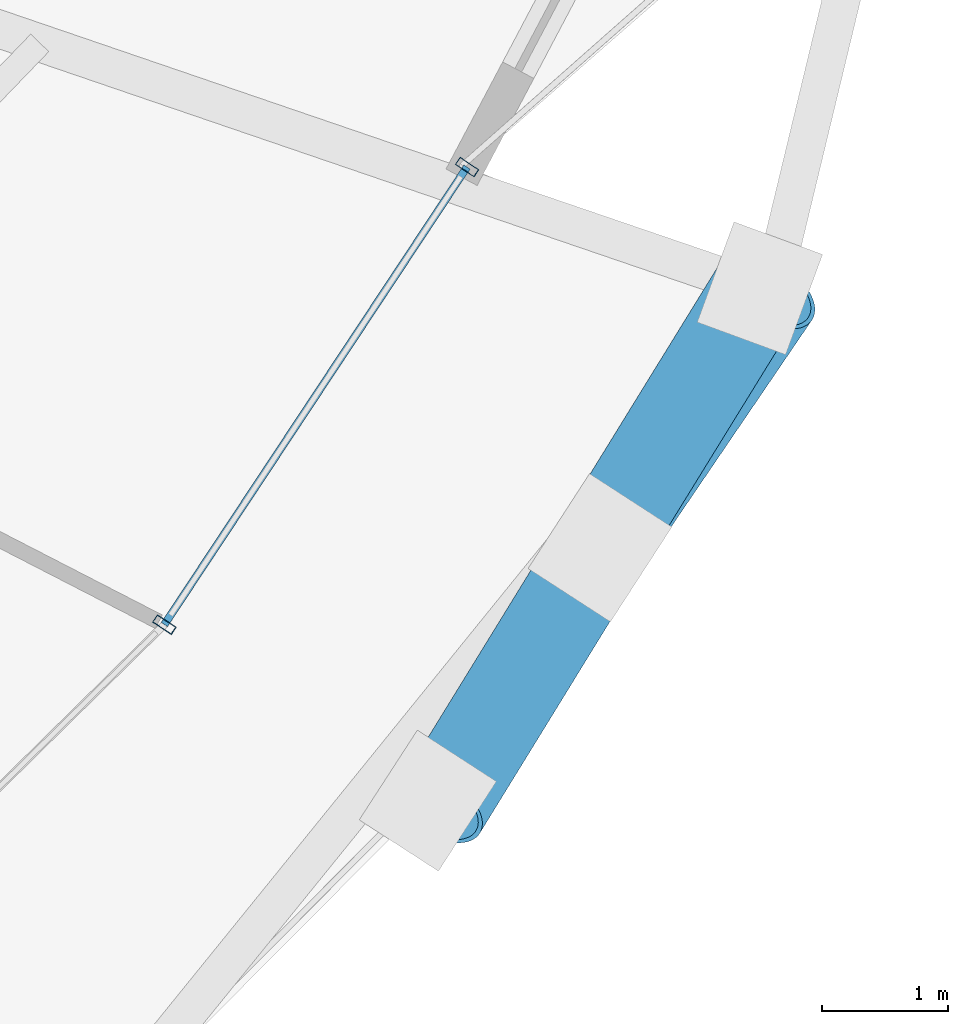
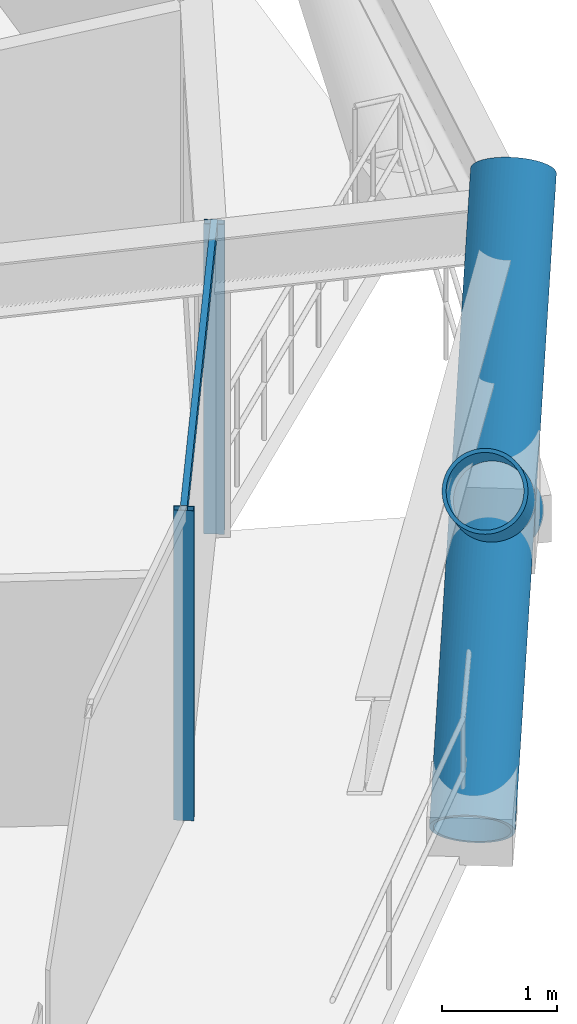
# One storey, part 8 of 17: 6 members, 1 element without a shape of its own.
"""IFC4 building model written with IfcOpenShell, lengths in metres."""

from ifc_helpers import new_model, si_unit, direction, frame, origin, origin_2d, place, context, subcontext, project, spatial, hollow_rectangle, hollow_circle, extrude, material, layer, layer_set, material_profile, profile_set, type_object, element, aggregate, save


model = new_model("IFC4")

# Units and contexts
model_context = context("Model", 3, precision=1e-05, world=origin(), true_north=direction((0.0, 1.0)))
body_context = subcontext(model_context, "Body", "Model", "MODEL_VIEW")
ifc_project = project(units=[si_unit("LENGTHUNIT", "METRE"), si_unit("AREAUNIT", "SQUARE_METRE"), si_unit("VOLUMEUNIT", "CUBIC_METRE"), si_unit("PLANEANGLEUNIT", "RADIAN"), si_unit("MASSUNIT", "GRAM", prefix="KILO")], contexts=[model_context])

# Site, building, storey
site_placement = place(None, origin())
site = spatial("IfcSite", under=ifc_project, at=site_placement, CompositionType="ELEMENT")
building_placement = place(site_placement, origin())
building = spatial("IfcBuilding", under=site, at=building_placement, Name="Veldorina Hangang Commons", CompositionType="ELEMENT")
storey_placement = place(building_placement, frame((0.0, 0.0, 55.60009765625)))
storey = spatial("IfcBuildingStorey", under=building, at=storey_placement, Name="L13", CompositionType="ELEMENT", Elevation=55.60009765625)

# Curtain wall, members
ifc_material_1 = material(Name="Glass Low-E Triple IGU", Category="glass")
ifc_layer = layer(ifc_material_1, 0.179931640625)
ifc_layer_set = layer_set([ifc_layer], Name="Glass Low-E Triple IGU")
curtain_wall_type = type_object("IfcCurtainWallType", Name="CW-SYS-Z1", PredefinedType="NOTDEFINED", material=ifc_layer_set)
curtain_wall_placement = place(storey_placement, origin())
curtain_wall = element("IfcCurtainWall", 1, at=curtain_wall_placement, inside=storey, type_object=curtain_wall_type, Name="L13 unitised curtain wall CW-L13-R2", PredefinedType="NOTDEFINED")
ifc_material_2 = material(Name="Aluminium Anodized AA6063-T6", Category="aluminium")
ifc_material_profile_1 = material_profile(ifc_material_2, hollow_rectangle(XDim=0.070068359375, YDim=0.179931640625, WallThickness=0.00390625, at=origin_2d()), Name="ALU-RHS-180x70x4")
ifc_profile_set_1 = profile_set([ifc_material_profile_1], Name="Aluminium Anodized AA6063-T6")
member_type_1 = type_object("IfcMemberType", Name="CW-MUL-180", PredefinedType="MULLION", material=ifc_profile_set_1)
member_1_placement = place(storey_placement, frame((53.652099609375, 12.310302734375, 0.0), z_axis=(0.0, 0.0, 1.0), x_axis=(0.551718655602, 0.834030290254, 0.0)))
member_1 = element("IfcMember", 2, at=member_1_placement, type_object=member_type_1, Name="CW-L13-R2 vertical mullion 3", PredefinedType="MULLION", context=body_context, shape_type="SweptSolid", body=[
    extrude(hollow_rectangle(XDim=0.070068359375, YDim=0.179931640625, WallThickness=0.00390625, at=origin_2d()), origin(), (0.0, 0.0, 1.0), 3.2998046875),
])
member_2_placement = place(storey_placement, frame((56.05859375, 15.947998046875, 0.0), z_axis=(0.0, 0.0, 1.0), x_axis=(-0.551718655602, -0.834030290254, 0.0)))
member_2 = element("IfcMember", 3, at=member_2_placement, type_object=member_type_1, Name="CW-L13-R2 vertical mullion 4", PredefinedType="MULLION", context=body_context, shape_type="SweptSolid", body=[
    extrude(hollow_rectangle(XDim=0.070068359375, YDim=0.179931640625, WallThickness=0.00390625, at=origin_2d()), origin(), (0.0, 0.0, 1.0), 3.2998046875),
])
ifc_material_profile_2 = material_profile(ifc_material_2, hollow_rectangle(XDim=0.06005859375, YDim=0.139892578125, WallThickness=0.00341796875, at=origin_2d()), Name="ALU-RHS-140x60x3.5")
ifc_profile_set_2 = profile_set([ifc_material_profile_2], Name="Aluminium Anodized AA6063-T6")
member_type_2 = type_object("IfcMemberType", Name="CW-TRN-140", PredefinedType="USERDEFINED", material=ifc_profile_set_2)
member_3_placement = place(storey_placement, frame((53.652099609375, 12.310302734375, 3.260009765625), z_axis=(0.551738664437, 0.834017053882, 0.0), x_axis=(-0.834017053882, 0.551738664437, 0.0)))
member_3 = element("IfcMember", 4, at=member_3_placement, type_object=member_type_2, Name="CW-L13-R2 facet 5 transom 1", ObjectType="TRANSOM", PredefinedType="USERDEFINED", context=body_context, shape_type="SweptSolid", body=[
    extrude(hollow_rectangle(XDim=0.06005859375, YDim=0.139892578125, WallThickness=0.00341796875, at=origin_2d()), origin(), (0.0, 0.0, 1.0), 4.361572265625),
])
aggregate(curtain_wall, [member_1, member_2, member_3])

# Members
ifc_material_3 = material(Name="Steel SM460-TMC", Category="steel")
ifc_material_profile_3 = material_profile(ifc_material_3, hollow_circle(Radius=0.375, WallThickness=0.035888671875, at=origin_2d()), Name="CHS-750x36")
ifc_profile_set_3 = profile_set([ifc_material_profile_3], Name="Steel SM460-TMC")
member_type_3 = type_object("IfcMemberType", Name="DG-CHS750", PredefinedType="BRACE", material=ifc_profile_set_3)
member_4_placement = place(storey_placement, frame((55.747314453125, 10.910400390625, 0.0), z_axis=(0.452570201558, 0.665077573217, 0.594013496704), x_axis=(-0.826742965384, 0.562579833613, 0.0)))
element("IfcMember", 5, at=member_4_placement, inside=storey, type_object=member_type_3, Name="L13 continuous perimeter diagrid brace 29", PredefinedType="BRACE", context=body_context, shape_type="SweptSolid", body=[
    extrude(hollow_circle(Radius=0.375, WallThickness=0.035888671875, at=origin_2d()), origin(), (0.0, 0.0, 1.0), 6.060302734375),
])
member_5_placement = place(storey_placement, frame((58.38671875, 14.983642578125, 0.0), z_axis=(-0.42145643442, -0.683915474065, 0.595511627275), x_axis=(0.851332910102, -0.524625843986, 0.0)))
element("IfcMember", 6, at=member_5_placement, inside=storey, type_object=member_type_3, Name="L13 split perimeter diagrid lower brace 30", PredefinedType="BRACE", context=body_context, shape_type="SweptSolid", body=[
    extrude(hollow_circle(Radius=0.375, WallThickness=0.035888671875, at=origin_2d()), origin(), (0.0, 0.0, 1.0), 3.015625),
])
member_6_placement = place(storey_placement, frame((57.11572265625, 12.921142578125, 1.7958984375), z_axis=(-0.420916688497, -0.68428175417, 0.595472604118), x_axis=(0.851758183769, -0.523935107034, 0.0)))
element("IfcMember", 7, at=member_6_placement, inside=storey, type_object=member_type_3, Name="L13 split perimeter diagrid upper brace 30", PredefinedType="BRACE", context=body_context, shape_type="SweptSolid", body=[
    extrude(hollow_circle(Radius=0.375, WallThickness=0.035888671875, at=origin_2d()), origin(), (0.0, 0.0, 1.0), 3.029541015625),
])

save(model, "model.ifc")
